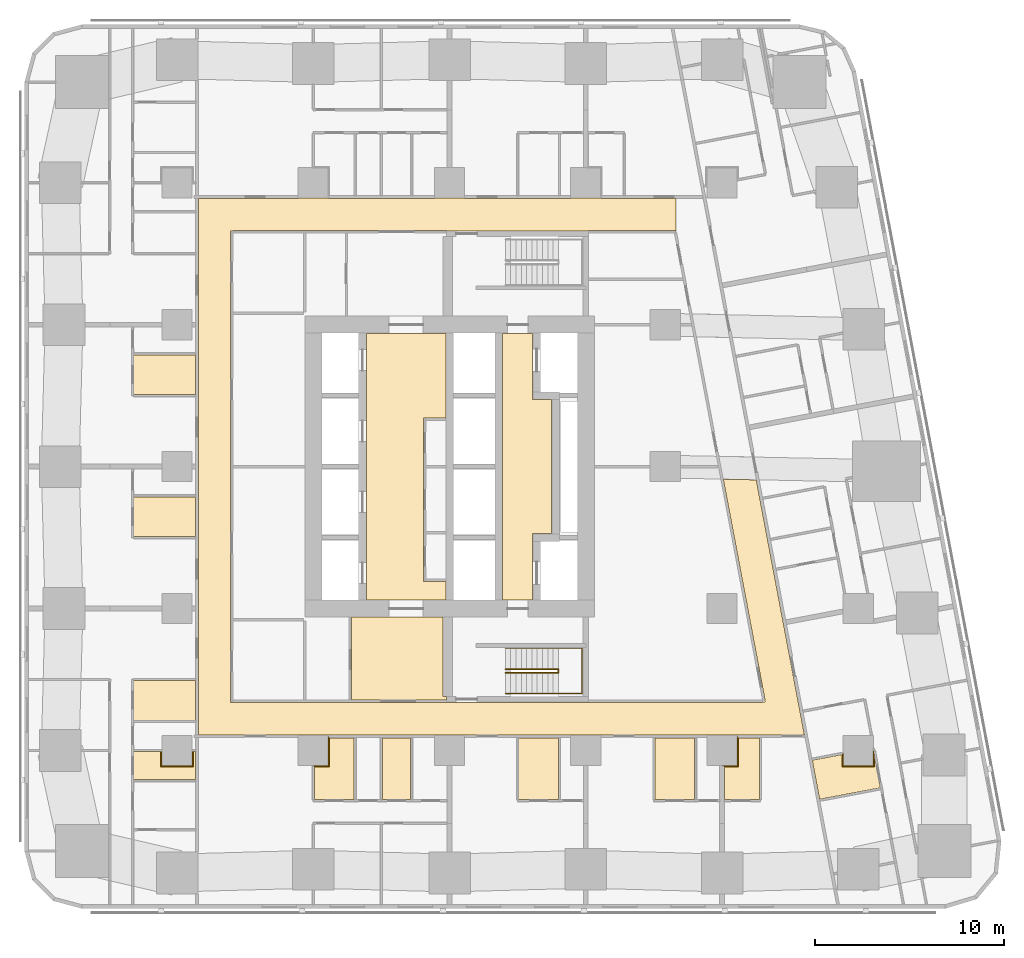
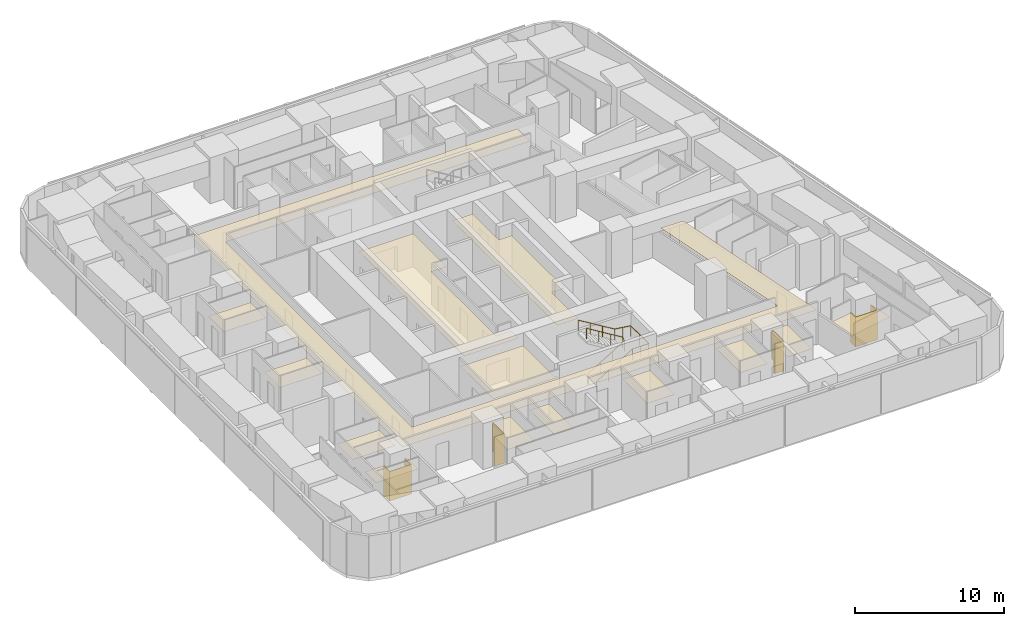
# One storey, part 12 of 14: 18 coverings, 2 railings.
"""IFC4 building model written with IfcOpenShell, lengths in metres."""

from ifc_helpers import new_model, si_unit, direction, frame, origin, origin_2d, place, context, subcontext, project, spatial, polyline, circle, outline, extrude, material, layer, layer_set, type_object, element, save


model = new_model("IFC4")

# Units and contexts
model_context = context("Model", 3, precision=1e-05, world=origin(), true_north=direction((0.0, 1.0)))
body_context = subcontext(model_context, "Body", "Model", "MODEL_VIEW")
ifc_project = project(units=[si_unit("LENGTHUNIT", "METRE"), si_unit("AREAUNIT", "SQUARE_METRE"), si_unit("VOLUMEUNIT", "CUBIC_METRE"), si_unit("PLANEANGLEUNIT", "RADIAN"), si_unit("MASSUNIT", "GRAM", prefix="KILO")], contexts=[model_context])

# Site, building, storey
site_placement = place(None, origin())
site = spatial("IfcSite", under=ifc_project, at=site_placement, CompositionType="ELEMENT")
building_placement = place(site_placement, origin())
building = spatial("IfcBuilding", under=site, at=building_placement, Name="Sheger Commons Tower", CompositionType="ELEMENT")
storey_placement = place(building_placement, frame((0.0, 0.0, 126.64990234375)))
storey = spatial("IfcBuildingStorey", under=building, at=storey_placement, Name="L32", CompositionType="ELEMENT", Elevation=126.64990234375)

# Railings
ifc_material_1 = material(Name="Steel handrail, black powder-coated", Category="steel")
railing_type = type_object("IfcRailingType", Name="HANDRAIL 900", PredefinedType="HANDRAIL", material=ifc_material_1)
railing_1_placement = place(storey_placement, frame((24.550048828125, 11.60009765625, 0.170654296875)))
element("IfcRailing", 1, at=railing_1_placement, inside=storey, type_object=railing_type, Name="Stair S1 handrail L32", PredefinedType="HANDRAIL", context=body_context, shape_type="SweptSolid", body=[
    extrude(circle(Radius=0.02392578125, at=origin_2d()), frame((0.0, 0.0, 0.8759765625), z_axis=(0.854202870247, 0.0, 0.519939858505), x_axis=(0.0, 1.0, 0.0)), (0.0, 0.0, 1.0), 3.278076171875),
    extrude(circle(Radius=0.02392578125, at=origin_2d()), frame((2.800048828125, 0.0, 2.580078125), z_axis=(0.0, 0.760631612298, 0.649183757016), x_axis=(-1.0, 0.0, 0.0)), (0.0, 0.0, 1.0), 0.262939453125),
    extrude(circle(Radius=0.02392578125, at=origin_2d()), frame((2.800048828125, 0.199951171875, 2.7509765625), z_axis=(-0.854202870247, 0.0, 0.519939858505), x_axis=(0.0, -1.0, 0.0)), (0.0, 0.0, 1.0), 3.278076171875),
    extrude(circle(Radius=0.02099609375, at=origin_2d()), origin(), (0.0, 0.0, 1.0), 0.851806640625),
    extrude(circle(Radius=0.02099609375, at=origin_2d()), frame((0.933349609375, 0.0, 0.568115234375)), (0.0, 0.0, 1.0), 0.851806640625),
    extrude(circle(Radius=0.02099609375, at=origin_2d()), frame((1.86669921875, 0.0, 1.13623046875)), (0.0, 0.0, 1.0), 0.851806640625),
    extrude(circle(Radius=0.02099609375, at=origin_2d()), frame((2.800048828125, 0.0, 1.704345703125)), (0.0, 0.0, 1.0), 0.851806640625),
    extrude(circle(Radius=0.02099609375, at=origin_2d()), frame((2.800048828125, 0.199951171875, 1.875)), (0.0, 0.0, 1.0), 0.851806640625),
    extrude(circle(Radius=0.02099609375, at=origin_2d()), frame((1.86669921875, 0.199951171875, 2.443115234375)), (0.0, 0.0, 1.0), 0.851806640625),
    extrude(circle(Radius=0.02099609375, at=origin_2d()), frame((0.933349609375, 0.199951171875, 3.01123046875)), (0.0, 0.0, 1.0), 0.851806640625),
    extrude(circle(Radius=0.02099609375, at=origin_2d()), frame((0.0, 0.199951171875, 3.579345703125)), (0.0, 0.0, 1.0), 0.851806640625),
])
railing_2_placement = place(storey_placement, frame((24.550048828125, 10.5, 0.170654296875)))
element("IfcRailing", 2, at=railing_2_placement, inside=storey, type_object=railing_type, Name="Stair S1 handrail L32", PredefinedType="HANDRAIL", context=body_context, shape_type="SweptSolid", body=[
    extrude(circle(Radius=0.02392578125, at=origin_2d()), frame((0.0, 0.0, 0.8759765625), z_axis=(0.854202870247, 0.0, 0.519939858505), x_axis=(0.0, 1.0, 0.0)), (0.0, 0.0, 1.0), 3.278076171875),
    extrude(circle(Radius=0.02392578125, at=origin_2d()), frame((2.800048828125, 0.0, 2.580078125), z_axis=(1.0, 0.0, 0.0), x_axis=(0.0, 1.0, 0.0)), (0.0, 0.0, 1.0), 1.25),
    extrude(circle(Radius=0.02392578125, at=origin_2d()), frame((4.050048828125, 0.0, 2.580078125), z_axis=(0.0, 1.0, 0.0), x_axis=(-1.0, 0.0, 0.0)), (0.0, 0.0, 1.0), 2.39990234375),
    extrude(circle(Radius=0.02392578125, at=origin_2d()), frame((4.050048828125, 2.39990234375, 2.580078125), z_axis=(-0.990808959222, 0.0, 0.135268645019), x_axis=(0.0, -1.0, 0.0)), (0.0, 0.0, 1.0), 1.261474609375),
    extrude(circle(Radius=0.02392578125, at=origin_2d()), frame((2.800048828125, 2.39990234375, 2.7509765625), z_axis=(-0.854202870247, 0.0, 0.519939858505), x_axis=(0.0, -1.0, 0.0)), (0.0, 0.0, 1.0), 3.278076171875),
    extrude(circle(Radius=0.02099609375, at=origin_2d()), origin(), (0.0, 0.0, 1.0), 0.851806640625),
    extrude(circle(Radius=0.02099609375, at=origin_2d()), frame((0.933349609375, 0.0, 0.568115234375)), (0.0, 0.0, 1.0), 0.851806640625),
    extrude(circle(Radius=0.02099609375, at=origin_2d()), frame((1.86669921875, 0.0, 1.13623046875)), (0.0, 0.0, 1.0), 0.851806640625),
    extrude(circle(Radius=0.02099609375, at=origin_2d()), frame((2.800048828125, 0.0, 1.704345703125)), (0.0, 0.0, 1.0), 0.851806640625),
    extrude(circle(Radius=0.02099609375, at=origin_2d()), frame((3.425048828125, 0.0, 1.704345703125)), (0.0, 0.0, 1.0), 0.851806640625),
    extrude(circle(Radius=0.02099609375, at=origin_2d()), frame((4.050048828125, 0.0, 1.704345703125)), (0.0, 0.0, 1.0), 0.851806640625),
    extrude(circle(Radius=0.02099609375, at=origin_2d()), frame((4.050048828125, 1.199951171875, 1.704345703125)), (0.0, 0.0, 1.0), 0.851806640625),
    extrude(circle(Radius=0.02099609375, at=origin_2d()), frame((4.050048828125, 2.39990234375, 1.704345703125)), (0.0, 0.0, 1.0), 0.851806640625),
    extrude(circle(Radius=0.02099609375, at=origin_2d()), frame((3.425048828125, 2.39990234375, 1.78955078125)), (0.0, 0.0, 1.0), 0.851806640625),
    extrude(circle(Radius=0.02099609375, at=origin_2d()), frame((2.800048828125, 2.39990234375, 1.875)), (0.0, 0.0, 1.0), 0.851806640625),
    extrude(circle(Radius=0.02099609375, at=origin_2d()), frame((1.86669921875, 2.39990234375, 2.443115234375)), (0.0, 0.0, 1.0), 0.851806640625),
    extrude(circle(Radius=0.02099609375, at=origin_2d()), frame((0.933349609375, 2.39990234375, 3.01123046875)), (0.0, 0.0, 1.0), 0.851806640625),
    extrude(circle(Radius=0.02099609375, at=origin_2d()), frame((0.0, 2.39990234375, 3.579345703125)), (0.0, 0.0, 1.0), 0.851806640625),
])

# Coverings
ifc_material_2 = material(Name="Moisture-resistant gypsum plasterboard 15 mm on a suspended galvanised steel grid", Category="steel")
ifc_layer_1 = layer(ifc_material_2, 0.014892578125)
ifc_layer_set_1 = layer_set([ifc_layer_1], Name="MOISTURE-RESISTANT CEILING 15")
covering_type_1 = type_object("IfcCoveringType", Name="MOISTURE-RESISTANT CEILING 15", PredefinedType="CEILING", material=ifc_layer_set_1)
covering_1_placement = place(storey_placement, frame((0.0, 0.0, 2.400146484375)))
element("IfcCovering", 3, at=covering_1_placement, inside=storey, type_object=covering_type_1, Name="L32-01.B1 ceiling", PredefinedType="CEILING", context=body_context, shape_type="SweptSolid", body=[
    extrude(outline(polyline([(4.905029296875, 9.094970703125), (8.169921875, 9.094970703125), (8.169921875, 11.195068359375), (4.905029296875, 11.195068359375), (4.905029296875, 9.094970703125)])), origin(), (0.0, 0.0, 1.0), 0.014892578125),
])
covering_2_placement = place(storey_placement, frame((0.0, 0.0, 2.400146484375)))
element("IfcCovering", 4, at=covering_2_placement, inside=storey, type_object=covering_type_1, Name="L32-01.B2 ceiling", PredefinedType="CEILING", context=body_context, shape_type="SweptSolid", body=[
    extrude(outline(polyline([(4.905029296875, 5.955078125), (8.169921875, 5.955078125), (8.169921875, 7.445068359375), (8.0048828125, 7.445068359375), (8.0048828125, 6.695068359375), (6.39501953125, 6.695068359375), (6.39501953125, 7.445068359375), (4.905029296875, 7.445068359375), (4.905029296875, 5.955078125)])), origin(), (0.0, 0.0, 1.0), 0.014892578125),
])
covering_3_placement = place(storey_placement, frame((0.0, 0.0, 2.400146484375)))
element("IfcCovering", 5, at=covering_3_placement, inside=storey, type_object=covering_type_1, Name="L32-02.B1 ceiling", PredefinedType="CEILING", context=body_context, shape_type="SweptSolid", body=[
    extrude(outline(polyline([(4.905029296875, 18.804931640625), (8.169921875, 18.804931640625), (8.169921875, 20.905029296875), (4.905029296875, 20.905029296875), (4.905029296875, 18.804931640625)])), origin(), (0.0, 0.0, 1.0), 0.014892578125),
])
covering_4_placement = place(storey_placement, frame((0.0, 0.0, 2.400146484375)))
element("IfcCovering", 6, at=covering_4_placement, inside=storey, type_object=covering_type_1, Name="L32-03.B1 ceiling", PredefinedType="CEILING", context=body_context, shape_type="SweptSolid", body=[
    extrude(outline(polyline([(4.905029296875, 26.304931640625), (8.169921875, 26.304931640625), (8.169921875, 28.405029296875), (4.905029296875, 28.405029296875), (4.905029296875, 26.304931640625)])), origin(), (0.0, 0.0, 1.0), 0.014892578125),
])
covering_5_placement = place(storey_placement, frame((0.0, 0.0, 2.400146484375)))
element("IfcCovering", 7, at=covering_5_placement, inside=storey, type_object=covering_type_1, Name="L32-05.B1 ceiling", PredefinedType="CEILING", context=body_context, shape_type="SweptSolid", body=[
    extrude(outline(polyline([(14.455078125, 4.905029296875), (16.554931640625, 4.905029296875), (16.554931640625, 8.169921875), (15.205078125, 8.169921875), (15.205078125, 6.695068359375), (14.455078125, 6.695068359375), (14.455078125, 4.905029296875)])), origin(), (0.0, 0.0, 1.0), 0.014892578125),
])
covering_6_placement = place(storey_placement, frame((0.0, 0.0, 2.400146484375)))
element("IfcCovering", 8, at=covering_6_placement, inside=storey, type_object=covering_type_1, Name="L32-05.B2 ceiling", PredefinedType="CEILING", context=body_context, shape_type="SweptSolid", body=[
    extrude(outline(polyline([(18.054931640625, 4.905029296875), (19.544921875, 4.905029296875), (19.544921875, 8.169921875), (18.054931640625, 8.169921875), (18.054931640625, 4.905029296875)])), origin(), (0.0, 0.0, 1.0), 0.014892578125),
])
covering_7_placement = place(storey_placement, frame((0.0, 0.0, 2.400146484375)))
element("IfcCovering", 9, at=covering_7_placement, inside=storey, type_object=covering_type_1, Name="L32-06.B1 ceiling", PredefinedType="CEILING", context=body_context, shape_type="SweptSolid", body=[
    extrude(outline(polyline([(25.2548828125, 4.905029296875), (27.35498046875, 4.905029296875), (27.35498046875, 8.169921875), (25.2548828125, 8.169921875), (25.2548828125, 4.905029296875)])), origin(), (0.0, 0.0, 1.0), 0.014892578125),
])
covering_8_placement = place(storey_placement, frame((0.0, 0.0, 2.400146484375)))
element("IfcCovering", 10, at=covering_8_placement, inside=storey, type_object=covering_type_1, Name="L32-07.B1 ceiling", PredefinedType="CEILING", context=body_context, shape_type="SweptSolid", body=[
    extrude(outline(polyline([(32.455078125, 4.905029296875), (34.554931640625, 4.905029296875), (34.554931640625, 8.169921875), (32.455078125, 8.169921875), (32.455078125, 4.905029296875)])), origin(), (0.0, 0.0, 1.0), 0.014892578125),
])
covering_9_placement = place(storey_placement, frame((0.0, 0.0, 2.400146484375)))
element("IfcCovering", 11, at=covering_9_placement, inside=storey, type_object=covering_type_1, Name="L32-08.B1 ceiling", PredefinedType="CEILING", context=body_context, shape_type="SweptSolid", body=[
    extrude(outline(polyline([(36.1298828125, 4.905029296875), (37.97412109375, 4.905029296875), (37.97412109375, 8.169921875), (36.804931640625, 8.169921875), (36.804931640625, 6.695068359375), (36.1298828125, 6.695068359375), (36.1298828125, 4.905029296875)])), origin(), (0.0, 0.0, 1.0), 0.014892578125),
])
covering_10_placement = place(storey_placement, frame((0.0, 0.0, 2.400146484375)))
element("IfcCovering", 12, at=covering_10_placement, inside=storey, type_object=covering_type_1, Name="L32-12.B1 ceiling", PredefinedType="CEILING", context=body_context, shape_type="SweptSolid", body=[
    extrude(outline(polyline([(41.156005859375, 4.9208984375), (44.364013671875, 5.527099609375), (44.007080078125, 7.4150390625), (44.0048828125, 7.4150390625), (44.0048828125, 6.695068359375), (42.39501953125, 6.695068359375), (42.39501953125, 7.29296875), (40.76611328125, 6.985107421875), (41.156005859375, 4.9208984375)])), origin(), (0.0, 0.0, 1.0), 0.014892578125),
])
ifc_material_3 = material(Name="Gypsum plasterboard 15 mm on a suspended steel grid", Category="steel")
ifc_layer_2 = layer(ifc_material_3, 0.014892578125)
ifc_layer_set_2 = layer_set([ifc_layer_2], Name="SUSPENDED CEILING 15")
covering_type_2 = type_object("IfcCoveringType", Name="SUSPENDED CEILING 15", PredefinedType="CEILING", material=ifc_layer_set_2)
covering_11_placement = place(storey_placement, frame((0.0, 0.0, 2.7001953125)))
element("IfcCovering", 13, at=covering_11_placement, inside=storey, type_object=covering_type_2, Name="L32-CO ceiling", PredefinedType="CEILING", context=body_context, shape_type="SweptSolid", body=[
    extrude(outline(polyline([(13.60400390625, 8.304931640625), (15.196044921875, 8.304931640625), (15.196044921875, 8.330078125), (20.803955078125, 8.330078125), (20.803955078125, 8.304931640625), (22.39599609375, 8.304931640625), (22.39599609375, 8.330078125), (28.00390625, 8.330078125), (28.00390625, 8.304931640625), (29.595947265625, 8.304931640625), (29.595947265625, 8.330078125), (35.2041015625, 8.330078125), (35.2041015625, 8.304931640625), (36.7958984375, 8.304931640625), (36.7958984375, 8.330078125), (40.34912109375, 8.330078125), (37.805908203125, 21.798095703125), (36.06591796875, 21.8330078125), (38.26904296875, 10.1708984375), (38.251953125, 10.1669921875), (38.27392578125, 10.050048828125), (38.14306640625, 10.050048828125), (38.14306640625, 10.031982421875), (28.945068359375, 10.031982421875), (28.945068359375, 10.044921875), (21.455078125, 10.044921875), (21.455078125, 10.031982421875), (10.157958984375, 10.031982421875), (10.157958984375, 10.044921875), (10.031982421875, 10.044921875), (10.031982421875, 34.955078125), (10.157958984375, 34.955078125), (10.157958984375, 34.968017578125), (21.455078125, 34.968017578125), (21.455078125, 34.949951171875), (28.945068359375, 34.949951171875), (28.945068359375, 34.968017578125), (33.54296875, 34.968017578125), (33.54296875, 34.949951171875), (33.568115234375, 34.949951171875), (33.568115234375, 36.669921875), (29.595947265625, 36.669921875), (29.595947265625, 36.695068359375), (28.00390625, 36.695068359375), (28.00390625, 36.669921875), (22.39599609375, 36.669921875), (22.39599609375, 36.695068359375), (20.803955078125, 36.695068359375), (20.803955078125, 36.669921875), (15.196044921875, 36.669921875), (15.196044921875, 36.695068359375), (13.60400390625, 36.695068359375), (13.60400390625, 36.669921875), (8.330078125, 36.669921875), (8.330078125, 8.330078125), (13.60400390625, 8.330078125), (13.60400390625, 8.304931640625)])), origin(), (0.0, 0.0, 1.0), 0.014892578125),
])
covering_12_placement = place(storey_placement, frame((0.0, 0.0, 2.7001953125)))
element("IfcCovering", 14, at=covering_12_placement, inside=storey, type_object=covering_type_2, Name="L32-SVS1 ceiling", PredefinedType="CEILING", context=body_context, shape_type="SweptSolid", body=[
    extrude(outline(polyline([(16.406982421875, 10.16796875), (21.445068359375, 10.16796875), (21.445068359375, 10.344970703125), (21.2451171875, 10.344970703125), (21.2451171875, 14.544921875), (16.406982421875, 14.544921875), (16.406982421875, 10.16796875)])), origin(), (0.0, 0.0, 1.0), 0.014892578125),
])
covering_13_placement = place(storey_placement, frame((0.0, 0.0, 2.7001953125)))
element("IfcCovering", 15, at=covering_13_placement, inside=storey, type_object=covering_type_2, Name="L32-LL ceiling", PredefinedType="CEILING", context=body_context, shape_type="SweptSolid", body=[
    extrude(outline(polyline([(17.205078125, 15.455078125), (21.39990234375, 15.455078125), (21.39990234375, 16.43310546875), (20.35791015625, 16.43310546875), (20.23291015625, 16.43310546875), (20.23291015625, 25.06689453125), (20.35791015625, 25.06689453125), (21.39990234375, 25.06689453125), (21.39990234375, 29.544921875), (17.205078125, 29.544921875), (17.205078125, 15.455078125)])), origin(), (0.0, 0.0, 1.0), 0.014892578125),
])
covering_14_placement = place(storey_placement, frame((0.0, 0.0, 2.7001953125)))
element("IfcCovering", 16, at=covering_14_placement, inside=storey, type_object=covering_type_2, Name="L32-FL ceiling", PredefinedType="CEILING", context=body_context, shape_type="SweptSolid", body=[
    extrude(outline(polyline([(24.405029296875, 15.455078125), (25.9951171875, 15.455078125), (25.9951171875, 18.955078125), (26.9951171875, 18.955078125), (26.9951171875, 26.044921875), (25.9951171875, 26.044921875), (25.9951171875, 29.544921875), (24.405029296875, 29.544921875), (24.405029296875, 15.455078125)])), origin(), (0.0, 0.0, 1.0), 0.014892578125),
])
ifc_material_4 = material(Name="Moisture-resistant gypsum board 12.5 mm on 25 mm treated timber battens, tanked and tiled", Category="wood")
ifc_layer_3 = layer(ifc_material_4, 0.050048828125)
ifc_layer_set_3 = layer_set([ifc_layer_3], Name="WET-ROOM COLUMN LINING")
covering_type_3 = type_object("IfcCoveringType", Name="WET-ROOM COLUMN LINING", PredefinedType="CLADDING", material=ifc_layer_set_3)
covering_15_placement = place(storey_placement, origin())
element("IfcCovering", 17, at=covering_15_placement, inside=storey, type_object=covering_type_3, Name="Shower room column lining C9 L32", PredefinedType="CLADDING", context=body_context, shape_type="SweptSolid", body=[
    extrude(outline(polyline([(6.39990234375, 7.5), (6.39990234375, 6.699951171875), (8.0, 6.699951171875), (8.0, 7.5), (8.0009765625, 7.5), (8.0009765625, 7.449951171875), (8.050048828125, 7.449951171875), (8.050048828125, 6.64990234375), (6.35009765625, 6.64990234375), (6.35009765625, 7.449951171875), (6.39892578125, 7.449951171875), (6.39892578125, 7.5), (6.39990234375, 7.5)])), origin(), (0.0, 0.0, 1.0), 2.400146484375),
])
covering_16_placement = place(storey_placement, origin())
element("IfcCovering", 18, at=covering_16_placement, inside=storey, type_object=covering_type_3, Name="Bathroom column lining C9 L32", PredefinedType="CLADDING", context=body_context, shape_type="SweptSolid", body=[
    extrude(outline(polyline([(14.449951171875, 6.64990234375), (14.449951171875, 6.698974609375), (14.39990234375, 6.698974609375), (14.39990234375, 6.699951171875), (15.199951171875, 6.699951171875), (15.199951171875, 8.25), (15.200927734375, 8.25), (15.200927734375, 8.175048828125), (15.25, 8.175048828125), (15.25, 6.64990234375), (14.449951171875, 6.64990234375)])), origin(), (0.0, 0.0, 1.0), 2.400146484375),
])
covering_17_placement = place(storey_placement, origin())
element("IfcCovering", 19, at=covering_17_placement, inside=storey, type_object=covering_type_3, Name="Shower room column lining C9 L32", PredefinedType="CLADDING", context=body_context, shape_type="SweptSolid", body=[
    extrude(outline(polyline([(36.125, 6.64990234375), (36.125, 6.698974609375), (36.0, 6.698974609375), (36.0, 6.699951171875), (36.800048828125, 6.699951171875), (36.800048828125, 8.25), (36.801025390625, 8.25), (36.801025390625, 8.175048828125), (36.85009765625, 8.175048828125), (36.85009765625, 6.64990234375), (36.125, 6.64990234375)])), origin(), (0.0, 0.0, 1.0), 2.400146484375),
])
covering_18_placement = place(storey_placement, origin())
element("IfcCovering", 20, at=covering_18_placement, inside=storey, type_object=covering_type_3, Name="Bathroom column lining C9 L32", PredefinedType="CLADDING", context=body_context, shape_type="SweptSolid", body=[
    extrude(outline(polyline([(42.39990234375, 7.34912109375), (42.39990234375, 6.699951171875), (44.0, 6.699951171875), (44.0, 7.47998046875), (44.050048828125, 7.215087890625), (44.050048828125, 6.64990234375), (42.35009765625, 6.64990234375), (42.35009765625, 7.2900390625), (42.39892578125, 7.299072265625), (42.389892578125, 7.346923828125), (42.39990234375, 7.34912109375)])), origin(), (0.0, 0.0, 1.0), 2.400146484375),
])

save(model, "model.ifc")
